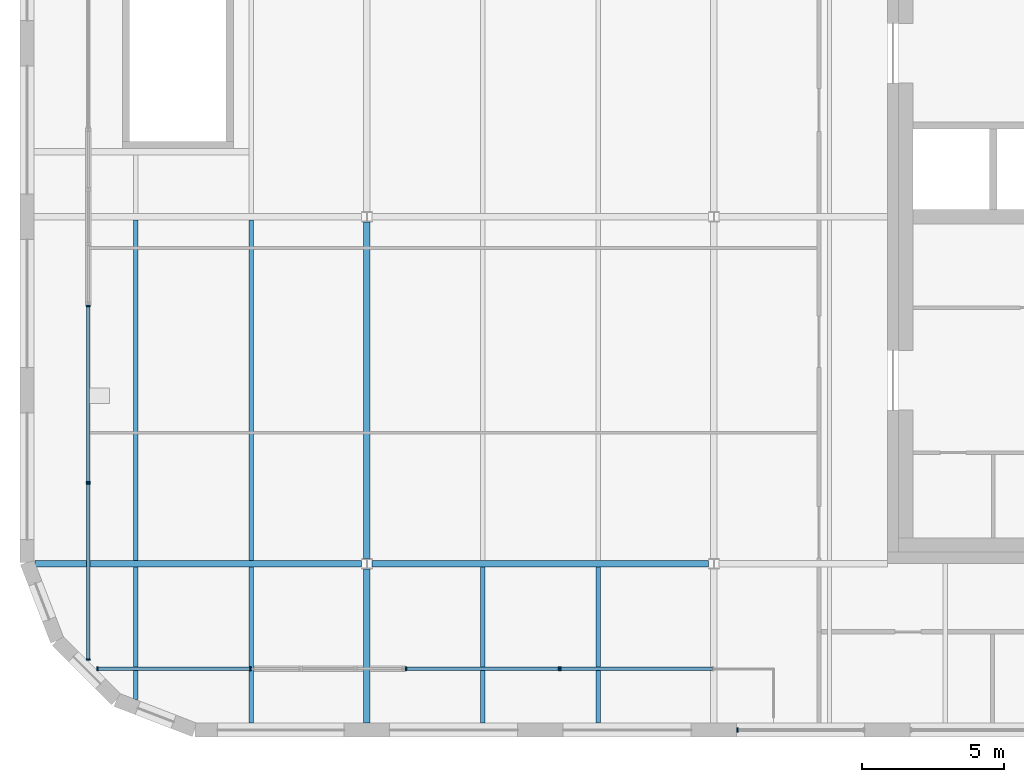
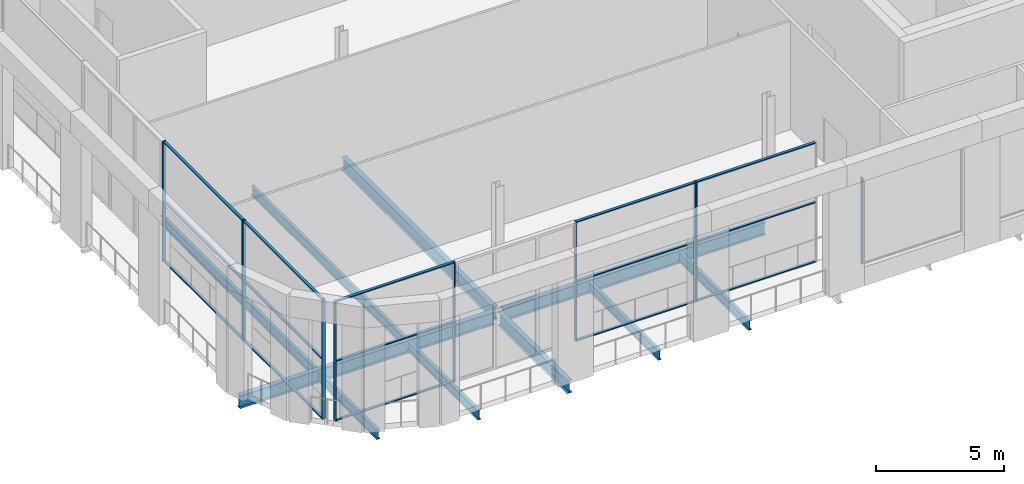
# One storey, part 2 of 19: 25 members, 10 beams, 6 elements without a shape of their own.
"""IFC4 building model written with IfcOpenShell, lengths in metres."""

from ifc_helpers import new_model, si_unit, direction, frame, origin, origin_2d, place, context, subcontext, project, spatial, rectangle, i_section, extrude, material, material_profile, profile_set, type_object, element, aggregate, save


model = new_model("IFC4")

# Units and contexts
model_context = context("Model", 3, precision=1e-05, world=origin(), true_north=direction((0.0, 1.0)))
body_context = subcontext(model_context, "Body", "Model", "MODEL_VIEW")
ifc_project = project(units=[si_unit("LENGTHUNIT", "METRE"), si_unit("AREAUNIT", "SQUARE_METRE"), si_unit("VOLUMEUNIT", "CUBIC_METRE"), si_unit("PLANEANGLEUNIT", "RADIAN"), si_unit("MASSUNIT", "GRAM", prefix="KILO")], contexts=[model_context])

# Site, building, storey
site_placement = place(None, origin())
site = spatial("IfcSite", under=ifc_project, at=site_placement, CompositionType="ELEMENT")
building_placement = place(site_placement, origin())
building = spatial("IfcBuilding", under=site, at=building_placement, Name="Tessera Gate Towers", CompositionType="ELEMENT")
storey_placement = place(building_placement, frame((0.0, 0.0, 259.699951171875)))
storey = spatial("IfcBuildingStorey", under=building, at=storey_placement, Name="L65", CompositionType="ELEMENT", Elevation=259.699951171875)

# Beams
ifc_material_1 = material(Name="Steel 350W", Category="steel")
ifc_material_profile_1 = material_profile(ifc_material_1, i_section(OverallWidth=0.22802734375, OverallDepth=0.60302734375, WebThickness=0.010498046875, FlangeThickness=0.014892578125, at=origin_2d()), Name="W610x101")
ifc_profile_set_1 = profile_set([ifc_material_profile_1], Name="Steel 350W")
beam_type_1 = type_object("IfcBeamType", Name="FLOOR GIRDER W610x101", PredefinedType="BEAM", material=ifc_profile_set_1)
beam_1_placement = place(storey_placement, frame((0.534912109375, 24.39990234375, -0.551513671875), z_axis=(1.0, 0.0, 0.0), x_axis=(0.0, 1.0, 0.0)))
element("IfcBeam", 1, at=beam_1_placement, inside=storey, type_object=beam_type_1, Name="T1-GD-L65-6308", PredefinedType="BEAM", context=body_context, shape_type="SweptSolid", body=[
    extrude(i_section(OverallWidth=0.22802734375, OverallDepth=0.60302734375, WebThickness=0.010498046875, FlangeThickness=0.014892578125, at=origin_2d()), origin(), (0.0, 0.0, 1.0), 11.48046875),
])
beam_2_placement = place(storey_placement, frame((12.384521484375, 24.39990234375, -0.551513671875), z_axis=(1.0, 0.0, 0.0), x_axis=(0.0, 1.0, 0.0)))
element("IfcBeam", 2, at=beam_2_placement, inside=storey, type_object=beam_type_1, Name="T1-GD-L65-6309", PredefinedType="BEAM", context=body_context, shape_type="SweptSolid", body=[
    extrude(i_section(OverallWidth=0.22802734375, OverallDepth=0.60302734375, WebThickness=0.010498046875, FlangeThickness=0.014892578125, at=origin_2d()), origin(), (0.0, 0.0, 1.0), 11.8310546875),
])
beam_3_placement = place(storey_placement, frame((12.199951171875, 18.799072265625, -0.551513671875), z_axis=(0.0, 1.0, 0.0), x_axis=(-1.0, 0.0, 0.0)))
element("IfcBeam", 3, at=beam_3_placement, inside=storey, type_object=beam_type_1, Name="T1-GD-L65-6320", PredefinedType="BEAM", context=body_context, shape_type="SweptSolid", body=[
    extrude(i_section(OverallWidth=0.22802734375, OverallDepth=0.60302734375, WebThickness=0.010498046875, FlangeThickness=0.014892578125, at=origin_2d()), origin(), (0.0, 0.0, 1.0), 5.41650390625),
])
beam_4_placement = place(storey_placement, frame((12.199951171875, 24.58447265625, -0.551513671875), z_axis=(0.0, 1.0, 0.0), x_axis=(-1.0, 0.0, 0.0)))
element("IfcBeam", 4, at=beam_4_placement, inside=storey, type_object=beam_type_1, Name="T1-GD-L65-6321", PredefinedType="BEAM", context=body_context, shape_type="SweptSolid", body=[
    extrude(i_section(OverallWidth=0.22802734375, OverallDepth=0.60302734375, WebThickness=0.010498046875, FlangeThickness=0.014892578125, at=origin_2d()), origin(), (0.0, 0.0, 1.0), 11.8310546875),
])
ifc_material_2 = material(Name="Steel 350W", Category="steel")
ifc_material_profile_2 = material_profile(ifc_material_2, i_section(OverallWidth=0.153076171875, OverallDepth=0.455078125, WebThickness=0.008056640625, FlangeThickness=0.01318359375, at=origin_2d()), Name="W460x60")
ifc_profile_set_2 = profile_set([ifc_material_profile_2], Name="Steel 350W")
beam_type_2 = type_object("IfcBeamType", Name="FLOOR SECONDARY W460x60", PredefinedType="BEAM", material=ifc_profile_set_2)
beam_5_placement = place(storey_placement, frame((4.066650390625, 19.620361328125, -0.4775390625), z_axis=(0.0, 1.0, 0.0), x_axis=(-1.0, 0.0, 0.0)))
element("IfcBeam", 5, at=beam_5_placement, inside=storey, type_object=beam_type_2, Name="T1-BM-L65-6335", PredefinedType="BEAM", context=body_context, shape_type="SweptSolid", body=[
    extrude(i_section(OverallWidth=0.153076171875, OverallDepth=0.455078125, WebThickness=0.008056640625, FlangeThickness=0.01318359375, at=origin_2d()), origin(), (0.0, 0.0, 1.0), 4.66552734375),
])
beam_6_placement = place(storey_placement, frame((4.066650390625, 24.513916015625, -0.4775390625), z_axis=(0.0, 1.0, 0.0), x_axis=(-1.0, 0.0, 0.0)))
element("IfcBeam", 6, at=beam_6_placement, inside=storey, type_object=beam_type_2, Name="T1-BM-L65-6336", PredefinedType="BEAM", context=body_context, shape_type="SweptSolid", body=[
    extrude(i_section(OverallWidth=0.153076171875, OverallDepth=0.455078125, WebThickness=0.008056640625, FlangeThickness=0.01318359375, at=origin_2d()), origin(), (0.0, 0.0, 1.0), 11.97216796875),
])
beam_7_placement = place(storey_placement, frame((8.13330078125, 18.800048828125, -0.4775390625), z_axis=(0.0, 1.0, 0.0), x_axis=(-1.0, 0.0, 0.0)))
element("IfcBeam", 7, at=beam_7_placement, inside=storey, type_object=beam_type_2, Name="T1-BM-L65-6339", PredefinedType="BEAM", context=body_context, shape_type="SweptSolid", body=[
    extrude(i_section(OverallWidth=0.153076171875, OverallDepth=0.455078125, WebThickness=0.008056640625, FlangeThickness=0.01318359375, at=origin_2d()), origin(), (0.0, 0.0, 1.0), 5.48583984375),
])
beam_8_placement = place(storey_placement, frame((8.13330078125, 24.513916015625, -0.4775390625), z_axis=(0.0, 1.0, 0.0), x_axis=(-1.0, 0.0, 0.0)))
element("IfcBeam", 8, at=beam_8_placement, inside=storey, type_object=beam_type_2, Name="T1-BM-L65-6340", PredefinedType="BEAM", context=body_context, shape_type="SweptSolid", body=[
    extrude(i_section(OverallWidth=0.153076171875, OverallDepth=0.455078125, WebThickness=0.008056640625, FlangeThickness=0.01318359375, at=origin_2d()), origin(), (0.0, 0.0, 1.0), 11.97216796875),
])
for number, where, z_axis, x_axis, name in (
    (9, (16.2666015625, 18.800048828125, -0.4775390625), (0.0, 1.0, 0.0), (-1.0, 0.0, 0.0), "T1-BM-L65-6343"),
    (10, (20.333251953125, 18.800048828125, -0.4775390625), (0.0, 1.0, 0.0), (-1.0, 0.0, 0.0), "T1-BM-L65-6347"),
):
    element("IfcBeam", number, at=place(storey_placement, frame(where, z_axis=z_axis, x_axis=x_axis)), inside=storey, type_object=beam_type_2, Name=name, PredefinedType="BEAM", context=body_context, shape_type="SweptSolid", body=[
        extrude(i_section(OverallWidth=0.153076171875, OverallDepth=0.455078125, WebThickness=0.008056640625, FlangeThickness=0.01318359375, at=origin_2d()), origin(), (0.0, 0.0, 1.0), 5.48583984375),
    ])

# Curtain wall, member
ifc_material_3 = material(Name="Aluminium frame", Category="aluminium")
curtain_wall_type = type_object("IfcCurtainWallType", Name="CW-S4 observation glass", PredefinedType="NOTDEFINED", material=ifc_material_3)
curtain_wall_1_placement = place(storey_placement, origin())
curtain_wall_1 = element("IfcCurtainWall", 11, at=curtain_wall_1_placement, inside=storey, type_object=curtain_wall_type, Name="Curtain wall observation glass 0089", PredefinedType="NOTDEFINED")
ifc_material_4 = material(Name="Aluminium frame", Category="aluminium")
ifc_material_profile_3 = material_profile(ifc_material_4, rectangle(XDim=0.050048828125, YDim=0.14990234375, at=origin_2d()), Name="AL 50x150")
ifc_profile_set_3 = profile_set([ifc_material_profile_3], Name="Aluminium frame")
member_type_1 = type_object("IfcMemberType", Name="MU-S4 mullion 50x150", PredefinedType="MULLION", material=ifc_profile_set_3)
member_1_placement = place(storey_placement, frame((25.22509765625, 18.550048828125, 0.900146484375), z_axis=(0.0, 0.0, 1.0), x_axis=(1.0, 0.0, 0.0)))
member_1 = element("IfcMember", 12, at=member_1_placement, type_object=member_type_1, Name="T1-CW4-0089 mullion 1", PredefinedType="MULLION", context=body_context, shape_type="SweptSolid", body=[
    extrude(rectangle(XDim=0.050048828125, YDim=0.14990234375, at=origin_2d()), origin(), (0.0, 0.0, 1.0), 4.099853515625),
])
aggregate(curtain_wall_1, [member_1])

# Curtain wall, members
curtain_wall_2_placement = place(storey_placement, origin())
curtain_wall_2 = element("IfcCurtainWall", 13, at=curtain_wall_2_placement, inside=storey, type_object=curtain_wall_type, Name="Curtain wall observation glass 0112", PredefinedType="NOTDEFINED")
member_2_placement = place(storey_placement, frame((2.39990234375, 21.02490234375, 0.0), z_axis=(0.0, 0.0, 1.0), x_axis=(0.0, 1.0, 0.0)))
member_2 = element("IfcMember", 14, at=member_2_placement, type_object=member_type_1, Name="T1-CW4-0112 mullion 1", PredefinedType="MULLION", context=body_context, shape_type="SweptSolid", body=[
    extrude(rectangle(XDim=0.050048828125, YDim=0.14990234375, at=origin_2d()), origin(), (0.0, 0.0, 1.0), 5.699951171875),
])
member_3_placement = place(storey_placement, frame((2.39990234375, 27.215087890625, 0.0), z_axis=(0.0, 0.0, 1.0), x_axis=(0.0, 1.0, 0.0)))
member_3 = element("IfcMember", 15, at=member_3_placement, type_object=member_type_1, Name="T1-CW4-0112 mullion 2", PredefinedType="MULLION", context=body_context, shape_type="SweptSolid", body=[
    extrude(rectangle(XDim=0.050048828125, YDim=0.14990234375, at=origin_2d()), origin(), (0.0, 0.0, 1.0), 5.699951171875),
])

curtain_wall_3_placement = place(storey_placement, origin())
curtain_wall_3 = element("IfcCurtainWall", 16, at=curtain_wall_3_placement, inside=storey, type_object=curtain_wall_type, Name="Curtain wall observation glass 0113", PredefinedType="NOTDEFINED")
member_4_placement = place(storey_placement, frame((2.39990234375, 27.264892578125, 0.0), z_axis=(0.0, 0.0, 1.0), x_axis=(0.0, 1.0, 0.0)))
member_4 = element("IfcMember", 17, at=member_4_placement, type_object=member_type_1, Name="T1-CW4-0113 mullion 1", PredefinedType="MULLION", context=body_context, shape_type="SweptSolid", body=[
    extrude(rectangle(XDim=0.050048828125, YDim=0.14990234375, at=origin_2d()), origin(), (0.0, 0.0, 1.0), 5.699951171875),
])
member_5_placement = place(storey_placement, frame((2.39990234375, 33.455078125, 0.0), z_axis=(0.0, 0.0, 1.0), x_axis=(0.0, 1.0, 0.0)))
member_5 = element("IfcMember", 18, at=member_5_placement, type_object=member_type_1, Name="T1-CW4-0113 mullion 2", PredefinedType="MULLION", context=body_context, shape_type="SweptSolid", body=[
    extrude(rectangle(XDim=0.050048828125, YDim=0.14990234375, at=origin_2d()), origin(), (0.0, 0.0, 1.0), 5.699951171875),
])

curtain_wall_4_placement = place(storey_placement, origin())
curtain_wall_4 = element("IfcCurtainWall", 19, at=curtain_wall_4_placement, inside=storey, type_object=curtain_wall_type, Name="Curtain wall observation glass 0116", PredefinedType="NOTDEFINED")
member_6_placement = place(storey_placement, frame((2.72509765625, 20.699951171875, 0.0), z_axis=(0.0, 0.0, 1.0), x_axis=(1.0, 0.0, 0.0)))
member_6 = element("IfcMember", 20, at=member_6_placement, type_object=member_type_1, Name="T1-CW4-0116 mullion 1", PredefinedType="MULLION", context=body_context, shape_type="SweptSolid", body=[
    extrude(rectangle(XDim=0.050048828125, YDim=0.14990234375, at=origin_2d()), origin(), (0.0, 0.0, 1.0), 5.699951171875),
])
member_7_placement = place(storey_placement, frame((8.10009765625, 20.699951171875, 0.0), z_axis=(0.0, 0.0, 1.0), x_axis=(1.0, 0.0, 0.0)))
member_7 = element("IfcMember", 21, at=member_7_placement, type_object=member_type_1, Name="T1-CW4-0116 mullion 2", PredefinedType="MULLION", context=body_context, shape_type="SweptSolid", body=[
    extrude(rectangle(XDim=0.050048828125, YDim=0.14990234375, at=origin_2d()), origin(), (0.0, 0.0, 1.0), 5.699951171875),
])

curtain_wall_5_placement = place(storey_placement, origin())
curtain_wall_5 = element("IfcCurtainWall", 22, at=curtain_wall_5_placement, inside=storey, type_object=curtain_wall_type, Name="Curtain wall observation glass 0117", PredefinedType="NOTDEFINED")
member_8_placement = place(storey_placement, frame((13.574951171875, 20.699951171875, 0.0), z_axis=(0.0, 0.0, 1.0), x_axis=(1.0, 0.0, 0.0)))
member_8 = element("IfcMember", 23, at=member_8_placement, type_object=member_type_1, Name="T1-CW4-0117 mullion 1", PredefinedType="MULLION", context=body_context, shape_type="SweptSolid", body=[
    extrude(rectangle(XDim=0.050048828125, YDim=0.14990234375, at=origin_2d()), origin(), (0.0, 0.0, 1.0), 5.699951171875),
])
member_9_placement = place(storey_placement, frame((18.949951171875, 20.699951171875, 0.0), z_axis=(0.0, 0.0, 1.0), x_axis=(1.0, 0.0, 0.0)))
member_9 = element("IfcMember", 24, at=member_9_placement, type_object=member_type_1, Name="T1-CW4-0117 mullion 2", PredefinedType="MULLION", context=body_context, shape_type="SweptSolid", body=[
    extrude(rectangle(XDim=0.050048828125, YDim=0.14990234375, at=origin_2d()), origin(), (0.0, 0.0, 1.0), 5.699951171875),
])

# Curtain wall, member
curtain_wall_6_placement = place(storey_placement, origin())
curtain_wall_6 = element("IfcCurtainWall", 25, at=curtain_wall_6_placement, inside=storey, type_object=curtain_wall_type, Name="Curtain wall observation glass 0118", PredefinedType="NOTDEFINED")
member_10_placement = place(storey_placement, frame((19.0, 20.699951171875, 0.0), z_axis=(0.0, 0.0, 1.0), x_axis=(1.0, 0.0, 0.0)))
member_10 = element("IfcMember", 26, at=member_10_placement, type_object=member_type_1, Name="T1-CW4-0118 mullion 1", PredefinedType="MULLION", context=body_context, shape_type="SweptSolid", body=[
    extrude(rectangle(XDim=0.050048828125, YDim=0.14990234375, at=origin_2d()), origin(), (0.0, 0.0, 1.0), 5.699951171875),
])

# Member
ifc_material_5 = material(Name="Aluminium frame", Category="aluminium")
ifc_material_profile_4 = material_profile(ifc_material_5, rectangle(XDim=0.1201171875, YDim=0.050048828125, at=origin_2d()), Name="AL 50x120")
ifc_profile_set_4 = profile_set([ifc_material_profile_4], Name="Aluminium frame")
member_type_2 = type_object("IfcMemberType", Name="TR-S4 transom 50x120", PredefinedType="USERDEFINED", material=ifc_profile_set_4)
member_11_placement = place(storey_placement, frame((2.39990234375, 21.050048828125, 0.025146484375), z_axis=(0.0, 1.0, 0.0), x_axis=(-1.0, 0.0, 0.0)))
member_11 = element("IfcMember", 27, at=member_11_placement, type_object=member_type_2, Name="T1-CW4-0112 transom 1.1", ObjectType="TRANSOM", PredefinedType="USERDEFINED", context=body_context, shape_type="SweptSolid", body=[
    extrude(rectangle(XDim=0.1201171875, YDim=0.050048828125, at=origin_2d()), origin(), (0.0, 0.0, 1.0), 6.139892578125),
])

member_12_placement = place(storey_placement, frame((2.39990234375, 21.050048828125, 2.85009765625), z_axis=(0.0, 1.0, 0.0), x_axis=(-1.0, 0.0, 0.0)))
member_12 = element("IfcMember", 28, at=member_12_placement, type_object=member_type_2, Name="T1-CW4-0112 transom 1.2", ObjectType="TRANSOM", PredefinedType="USERDEFINED", context=body_context, shape_type="SweptSolid", body=[
    extrude(rectangle(XDim=0.1201171875, YDim=0.050048828125, at=origin_2d()), origin(), (0.0, 0.0, 1.0), 6.139892578125),
])

member_13_placement = place(storey_placement, frame((2.39990234375, 21.050048828125, 5.675048828125), z_axis=(0.0, 1.0, 0.0), x_axis=(-1.0, 0.0, 0.0)))
member_13 = element("IfcMember", 29, at=member_13_placement, type_object=member_type_2, Name="T1-CW4-0112 transom 1.3", ObjectType="TRANSOM", PredefinedType="USERDEFINED", context=body_context, shape_type="SweptSolid", body=[
    extrude(rectangle(XDim=0.1201171875, YDim=0.050048828125, at=origin_2d()), origin(), (0.0, 0.0, 1.0), 6.139892578125),
])

aggregate(curtain_wall_2, [member_2, member_3, member_11, member_12, member_13])

member_14_placement = place(storey_placement, frame((2.39990234375, 27.2900390625, 0.025146484375), z_axis=(0.0, 1.0, 0.0), x_axis=(-1.0, 0.0, 0.0)))
member_14 = element("IfcMember", 30, at=member_14_placement, type_object=member_type_2, Name="T1-CW4-0113 transom 1.1", ObjectType="TRANSOM", PredefinedType="USERDEFINED", context=body_context, shape_type="SweptSolid", body=[
    extrude(rectangle(XDim=0.1201171875, YDim=0.050048828125, at=origin_2d()), origin(), (0.0, 0.0, 1.0), 6.139892578125),
])

member_15_placement = place(storey_placement, frame((2.39990234375, 27.2900390625, 2.85009765625), z_axis=(0.0, 1.0, 0.0), x_axis=(-1.0, 0.0, 0.0)))
member_15 = element("IfcMember", 31, at=member_15_placement, type_object=member_type_2, Name="T1-CW4-0113 transom 1.2", ObjectType="TRANSOM", PredefinedType="USERDEFINED", context=body_context, shape_type="SweptSolid", body=[
    extrude(rectangle(XDim=0.1201171875, YDim=0.050048828125, at=origin_2d()), origin(), (0.0, 0.0, 1.0), 6.139892578125),
])

member_16_placement = place(storey_placement, frame((2.39990234375, 27.2900390625, 5.675048828125), z_axis=(0.0, 1.0, 0.0), x_axis=(-1.0, 0.0, 0.0)))
member_16 = element("IfcMember", 32, at=member_16_placement, type_object=member_type_2, Name="T1-CW4-0113 transom 1.3", ObjectType="TRANSOM", PredefinedType="USERDEFINED", context=body_context, shape_type="SweptSolid", body=[
    extrude(rectangle(XDim=0.1201171875, YDim=0.050048828125, at=origin_2d()), origin(), (0.0, 0.0, 1.0), 6.139892578125),
])

aggregate(curtain_wall_3, [member_4, member_5, member_14, member_15, member_16])

member_17_placement = place(storey_placement, frame((2.75, 20.699951171875, 0.025146484375), z_axis=(1.0, 0.0, 0.0), x_axis=(0.0, 1.0, 0.0)))
member_17 = element("IfcMember", 33, at=member_17_placement, type_object=member_type_2, Name="T1-CW4-0116 transom 1.1", ObjectType="TRANSOM", PredefinedType="USERDEFINED", context=body_context, shape_type="SweptSolid", body=[
    extrude(rectangle(XDim=0.1201171875, YDim=0.050048828125, at=origin_2d()), origin(), (0.0, 0.0, 1.0), 5.324951171875),
])

member_18_placement = place(storey_placement, frame((2.75, 20.699951171875, 2.85009765625), z_axis=(1.0, 0.0, 0.0), x_axis=(0.0, 1.0, 0.0)))
member_18 = element("IfcMember", 34, at=member_18_placement, type_object=member_type_2, Name="T1-CW4-0116 transom 1.2", ObjectType="TRANSOM", PredefinedType="USERDEFINED", context=body_context, shape_type="SweptSolid", body=[
    extrude(rectangle(XDim=0.1201171875, YDim=0.050048828125, at=origin_2d()), origin(), (0.0, 0.0, 1.0), 5.324951171875),
])

member_19_placement = place(storey_placement, frame((2.75, 20.699951171875, 5.675048828125), z_axis=(1.0, 0.0, 0.0), x_axis=(0.0, 1.0, 0.0)))
member_19 = element("IfcMember", 35, at=member_19_placement, type_object=member_type_2, Name="T1-CW4-0116 transom 1.3", ObjectType="TRANSOM", PredefinedType="USERDEFINED", context=body_context, shape_type="SweptSolid", body=[
    extrude(rectangle(XDim=0.1201171875, YDim=0.050048828125, at=origin_2d()), origin(), (0.0, 0.0, 1.0), 5.324951171875),
])

aggregate(curtain_wall_4, [member_6, member_7, member_17, member_18, member_19])

member_20_placement = place(storey_placement, frame((13.60009765625, 20.699951171875, 0.025146484375), z_axis=(1.0, 0.0, 0.0), x_axis=(0.0, 1.0, 0.0)))
member_20 = element("IfcMember", 36, at=member_20_placement, type_object=member_type_2, Name="T1-CW4-0117 transom 1.1", ObjectType="TRANSOM", PredefinedType="USERDEFINED", context=body_context, shape_type="SweptSolid", body=[
    extrude(rectangle(XDim=0.1201171875, YDim=0.050048828125, at=origin_2d()), origin(), (0.0, 0.0, 1.0), 5.324951171875),
])

member_21_placement = place(storey_placement, frame((13.60009765625, 20.699951171875, 2.85009765625), z_axis=(1.0, 0.0, 0.0), x_axis=(0.0, 1.0, 0.0)))
member_21 = element("IfcMember", 37, at=member_21_placement, type_object=member_type_2, Name="T1-CW4-0117 transom 1.2", ObjectType="TRANSOM", PredefinedType="USERDEFINED", context=body_context, shape_type="SweptSolid", body=[
    extrude(rectangle(XDim=0.1201171875, YDim=0.050048828125, at=origin_2d()), origin(), (0.0, 0.0, 1.0), 5.324951171875),
])

member_22_placement = place(storey_placement, frame((13.60009765625, 20.699951171875, 5.675048828125), z_axis=(1.0, 0.0, 0.0), x_axis=(0.0, 1.0, 0.0)))
member_22 = element("IfcMember", 38, at=member_22_placement, type_object=member_type_2, Name="T1-CW4-0117 transom 1.3", ObjectType="TRANSOM", PredefinedType="USERDEFINED", context=body_context, shape_type="SweptSolid", body=[
    extrude(rectangle(XDim=0.1201171875, YDim=0.050048828125, at=origin_2d()), origin(), (0.0, 0.0, 1.0), 5.324951171875),
])

aggregate(curtain_wall_5, [member_8, member_9, member_20, member_21, member_22])

member_23_placement = place(storey_placement, frame((19.02490234375, 20.699951171875, 0.025146484375), z_axis=(1.0, 0.0, 0.0), x_axis=(0.0, 1.0, 0.0)))
member_23 = element("IfcMember", 39, at=member_23_placement, type_object=member_type_2, Name="T1-CW4-0118 transom 1.1", ObjectType="TRANSOM", PredefinedType="USERDEFINED", context=body_context, shape_type="SweptSolid", body=[
    extrude(rectangle(XDim=0.1201171875, YDim=0.050048828125, at=origin_2d()), origin(), (0.0, 0.0, 1.0), 5.3251953125),
])

member_24_placement = place(storey_placement, frame((19.02490234375, 20.699951171875, 2.85009765625), z_axis=(1.0, 0.0, 0.0), x_axis=(0.0, 1.0, 0.0)))
member_24 = element("IfcMember", 40, at=member_24_placement, type_object=member_type_2, Name="T1-CW4-0118 transom 1.2", ObjectType="TRANSOM", PredefinedType="USERDEFINED", context=body_context, shape_type="SweptSolid", body=[
    extrude(rectangle(XDim=0.1201171875, YDim=0.050048828125, at=origin_2d()), origin(), (0.0, 0.0, 1.0), 5.3251953125),
])

member_25_placement = place(storey_placement, frame((19.02490234375, 20.699951171875, 5.675048828125), z_axis=(1.0, 0.0, 0.0), x_axis=(0.0, 1.0, 0.0)))
member_25 = element("IfcMember", 41, at=member_25_placement, type_object=member_type_2, Name="T1-CW4-0118 transom 1.3", ObjectType="TRANSOM", PredefinedType="USERDEFINED", context=body_context, shape_type="SweptSolid", body=[
    extrude(rectangle(XDim=0.1201171875, YDim=0.050048828125, at=origin_2d()), origin(), (0.0, 0.0, 1.0), 5.3251953125),
])

aggregate(curtain_wall_6, [member_10, member_23, member_24, member_25])

save(model, "model.ifc")
